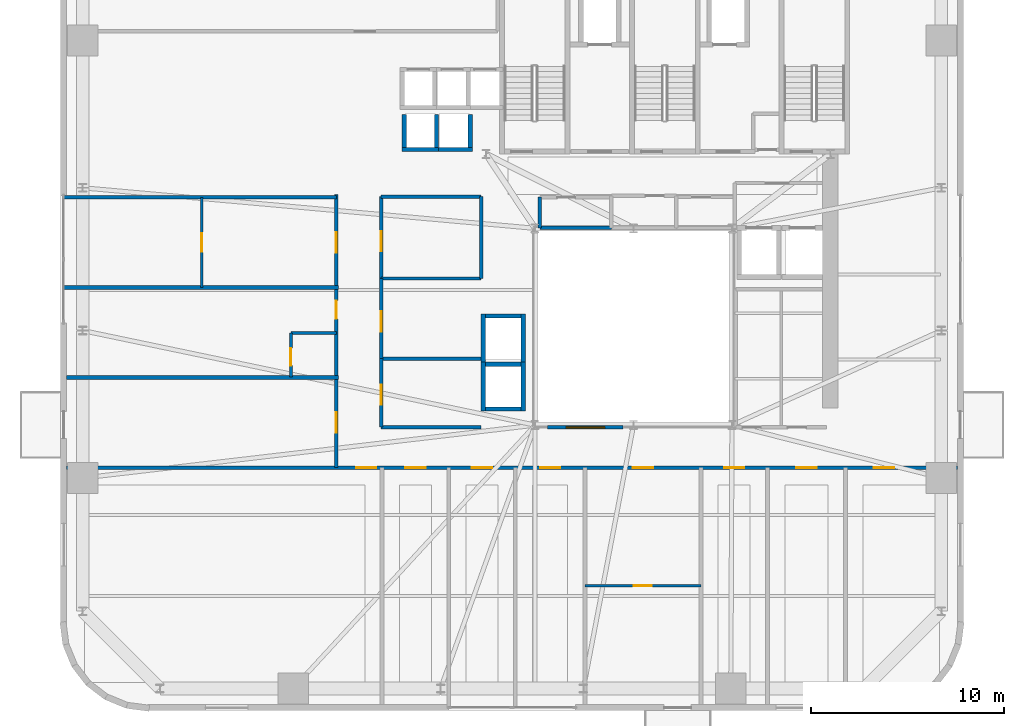
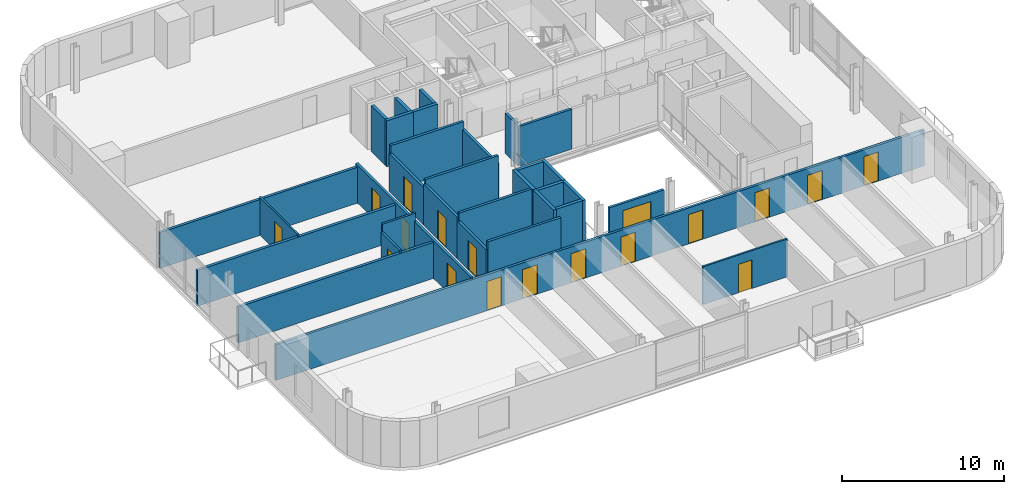
# One storey, part 6 of 11: 32 walls, 17 doors, 1 window, 18 openings.
"""IFC4 building model written with IfcOpenShell, lengths in metres."""

from ifc_helpers import new_model, si_unit, direction, frame, frame_2d, origin, place, context, subcontext, project, spatial, rectangle, extrude, source, transform, mapped, material, layer, layer_set, type_object, element, fill, save


model = new_model("IFC4")

# Units and contexts
model_context = context("Model", 3, precision=1e-05, world=origin(), true_north=direction((0.0, 1.0)))
body_context = subcontext(model_context, "Body", "Model", "MODEL_VIEW")
ifc_project = project(units=[si_unit("LENGTHUNIT", "METRE"), si_unit("AREAUNIT", "SQUARE_METRE"), si_unit("VOLUMEUNIT", "CUBIC_METRE"), si_unit("PLANEANGLEUNIT", "RADIAN"), si_unit("MASSUNIT", "GRAM", prefix="KILO")], contexts=[model_context])

# Site, building, storey
site_placement = place(None, origin())
site = spatial("IfcSite", under=ifc_project, at=site_placement, CompositionType="ELEMENT")
building_placement = place(site_placement, origin())
building = spatial("IfcBuilding", under=site, at=building_placement, Name="Vardaveli Station Tower", CompositionType="ELEMENT")
storey_placement = place(building_placement, frame((0.0, 0.0, 137.199951171875)))
storey = spatial("IfcBuildingStorey", under=building, at=storey_placement, Name="L35", CompositionType="ELEMENT", Elevation=137.199951171875)

# Walls
ifc_material_1 = material(Name="Concrete C40/50", Category="concrete")
ifc_layer_1 = layer(ifc_material_1, 0.219970703125, Name="Concrete C40/50")
ifc_layer_set_1 = layer_set([ifc_layer_1], Name="Concrete C40/50")
wall_type_1 = type_object("IfcWallType", Name="WAL-FFLOBBY-220", PredefinedType="SOLIDWALL", material=ifc_layer_set_1)
shared_shape_1 = source(origin(), body_context, "Body", "SweptSolid", [
    extrude(rectangle(XDim=1.89013671875, YDim=0.219970703125, at=frame_2d((0.945068359375, 0.0))), origin(), (0.0, 0.0, 1.0), 3.4599609375),
])
for number, where, z_axis, x_axis, name in (
    (1, (24.304931640625, 30.889892578125, 0.0), (0.0, 0.0, 1.0), (1.0, 0.0, 0.0), "SHW-SHU-01-L35-S"),
    (2, (26.054931640625, 30.889892578125, 0.0), (0.0, 0.0, 1.0), (1.0, 0.0, 0.0), "SHW-SHU-02-L35-S"),
):
    element("IfcWall", number, at=place(storey_placement, frame(where, z_axis=z_axis, x_axis=x_axis)), inside=storey, type_object=wall_type_1, Name=name, PredefinedType="SOLIDWALL", context=body_context, shape_type="MappedRepresentation", body=[
        mapped(shared_shape_1, transform((0.0, 0.0, 0.0), scale=1.0)),
    ])
shared_shape_2 = source(origin(), body_context, "Body", "SweptSolid", [
    extrude(rectangle(XDim=1.699951171875, YDim=0.219970703125, at=frame_2d((0.85009765625, 0.0))), origin(), (0.0, 0.0, 1.0), 3.4599609375),
])
for number, where, z_axis, x_axis, name in (
    (3, (24.4150390625, 31.0, 0.0), (0.0, 0.0, 1.0), (0.0, 1.0, 0.0), "SHW-SHU-01-L35-W"),
    (4, (26.0849609375, 31.0, 0.0), (0.0, 0.0, 1.0), (0.0, 1.0, 0.0), "SHW-SHU-01-L35-E"),
    (5, (27.8349609375, 31.0, 0.0), (0.0, 0.0, 1.0), (0.0, 1.0, 0.0), "SHW-SHU-02-L35-E"),
):
    element("IfcWall", number, at=place(storey_placement, frame(where, z_axis=z_axis, x_axis=x_axis)), inside=storey, type_object=wall_type_1, Name=name, PredefinedType="SOLIDWALL", context=body_context, shape_type="MappedRepresentation", body=[
        mapped(shared_shape_2, transform((0.0, 0.0, 0.0), scale=1.0)),
    ])
shared_shape_3 = source(origin(), body_context, "Body", "SweptSolid", [
    extrude(rectangle(XDim=1.85009765625, YDim=0.219970703125, at=frame_2d((0.925048828125, 0.0))), origin(), (0.0, 0.0, 1.0), 3.4599609375),
])
for number, where, z_axis, x_axis, name in (
    (6, (28.625, 17.43994140625, 0.0), (0.0, 0.0, 1.0), (1.0, 0.0, 0.0), "SHW-OBS-01-L35-S"),
    (7, (28.625, 19.760009765625, 0.0), (0.0, 0.0, 1.0), (1.0, 0.0, 0.0), "SHW-OBS-01-L35-N"),
    (8, (28.625, 22.260009765625, 0.0), (0.0, 0.0, 1.0), (1.0, 0.0, 0.0), "SHW-OBS-02-L35-N"),
):
    element("IfcWall", number, at=place(storey_placement, frame(where, z_axis=z_axis, x_axis=x_axis)), inside=storey, type_object=wall_type_1, Name=name, PredefinedType="SOLIDWALL", context=body_context, shape_type="MappedRepresentation", body=[
        mapped(shared_shape_3, transform((0.0, 0.0, 0.0), scale=1.0)),
    ])
shared_shape_4 = source(origin(), body_context, "Body", "SweptSolid", [
    extrude(rectangle(XDim=2.5400390625, YDim=0.219970703125, at=frame_2d((1.27001953125, 0.0))), origin(), (0.0, 0.0, 1.0), 3.4599609375),
])
for number, where, z_axis, x_axis, name in (
    (9, (28.514892578125, 17.330078125, 0.0), (0.0, 0.0, 1.0), (0.0, 1.0, 0.0), "SHW-OBS-01-L35-W"),
    (10, (30.5849609375, 17.330078125, 0.0), (0.0, 0.0, 1.0), (0.0, 1.0, 0.0), "SHW-OBS-01-L35-E"),
    (11, (28.514892578125, 19.830078125, 0.0), (0.0, 0.0, 1.0), (0.0, 1.0, 0.0), "SHW-OBS-02-L35-W"),
    (12, (30.5849609375, 19.830078125, 0.0), (0.0, 0.0, 1.0), (0.0, 1.0, 0.0), "SHW-OBS-02-L35-E"),
):
    element("IfcWall", number, at=place(storey_placement, frame(where, z_axis=z_axis, x_axis=x_axis)), inside=storey, type_object=wall_type_1, Name=name, PredefinedType="SOLIDWALL", context=body_context, shape_type="MappedRepresentation", body=[
        mapped(shared_shape_4, transform((0.0, 0.0, 0.0), scale=1.0)),
    ])

# Wall, opening, door
ifc_material_2 = material(Name="Moisture-resistant stud partition")
ifc_layer_2 = layer(ifc_material_2, 0.14990234375, Name="Moisture-resistant stud partition")
ifc_layer_set_2 = layer_set([ifc_layer_2], Name="Moisture-resistant stud partition")
wall_type_2 = type_object("IfcWallType", Name="WAL-WET-150", PredefinedType="PARTITIONING", material=ifc_layer_set_2)
shared_shape_5 = source(origin(), body_context, "Body", "SweptSolid", [
    extrude(rectangle(XDim=2.2900390625, YDim=0.14990234375, at=frame_2d((1.14501953125, 0.0))), origin(), (0.0, 0.0, 1.0), 2.85205078125),
])
wall_1_placement = place(storey_placement, frame((18.5400390625, 19.0869140625, 0.0), z_axis=(0.0, 0.0, 1.0), x_axis=(0.0, 1.0, 0.0)))
wall_1 = element("IfcWall", 13, at=wall_1_placement, inside=storey, type_object=wall_type_2, Name="W-L35-BW2-W", PredefinedType="PARTITIONING", context=body_context, shape_type="MappedRepresentation", body=[
    mapped(shared_shape_5, transform((0.0, 0.0, 0.0), scale=1.0)),
])
shared_shape_6 = source(origin(), body_context, "Body", "SweptSolid", [
    extrude(rectangle(XDim=0.89990234375, YDim=2.10009765625, at=frame_2d((0.449951171875, 1.050048828125))), frame((0.0, 0.0849609375, 0.0), z_axis=(0.0, -1.0, 0.0), x_axis=(1.0, 0.0, 0.0)), (0.0, 0.0, 1.0), 0.169921875),
])
opening_1_placement = place(wall_1_placement, frame((0.60009765625, 0.0, 0.0)))
opening_1 = element("IfcOpeningElement", 14, at=opening_1_placement, cuts=wall_1, Name="Opening D-08", PredefinedType="OPENING", context=body_context, shape_type="MappedRepresentation", body=[
    mapped(shared_shape_6, transform((0.0, 0.0, 0.0), scale=1.0)),
])
ifc_material_3 = material(Name="Moisture-resistant oak door")
door_type_1 = type_object("IfcDoorType", Name="DR-BATH-900x2100", OperationType="NOTDEFINED", PredefinedType="DOOR", material=ifc_material_3)
shared_shape_7 = source(origin(), body_context, "Body", "SweptSolid", [
    extrude(rectangle(XDim=0.89990234375, YDim=2.10009765625, at=frame_2d((0.449951171875, 1.050048828125))), frame((0.0, 0.02490234375, 0.0), z_axis=(0.0, -1.0, 0.0), x_axis=(1.0, 0.0, 0.0)), (0.0, 0.0, 1.0), 0.050048828125),
])
door_1_placement = place(opening_1_placement, origin())
door_1 = element("IfcDoor", 15, at=door_1_placement, inside=storey, type_object=door_type_1, Name="D-L35-BW2", OperationType="SINGLE_SWING_LEFT", OverallHeight=2.10009765625, OverallWidth=0.89990234375, PredefinedType="DOOR", context=body_context, shape_type="MappedRepresentation", body=[
    mapped(shared_shape_7, transform((0.0, 0.0, 0.0), scale=1.0)),
])
fill(opening_1, door_1)

ifc_material_4 = material(Name="Fire-rated gypsum stud partition")
ifc_layer_3 = layer(ifc_material_4, 0.179931640625, Name="Fire-rated gypsum stud partition")
ifc_layer_set_3 = layer_set([ifc_layer_3], Name="Fire-rated gypsum stud partition")
wall_type_3 = type_object("IfcWallType", Name="WAL-CORR-180", PredefinedType="PARTITIONING", material=ifc_layer_set_3)
shared_shape_8 = source(origin(), body_context, "Body", "SweptSolid", [
    extrude(rectangle(XDim=4.239990234375, YDim=0.179931640625, at=frame_2d((2.1201171875, 0.0))), origin(), (0.0, 0.0, 1.0), 2.85205078125),
])
wall_2_placement = place(storey_placement, frame((23.219970703125, 24.199951171875, 0.0), z_axis=(0.0, 0.0, 1.0), x_axis=(0.0, 1.0, 0.0)))
wall_2 = element("IfcWall", 16, at=wall_2_placement, inside=storey, type_object=wall_type_3, Name="W-L35-ATWC-W", PredefinedType="PARTITIONING", context=body_context, shape_type="MappedRepresentation", body=[
    mapped(shared_shape_8, transform((0.0, 0.0, 0.0), scale=1.0)),
])
shared_shape_9 = source(origin(), body_context, "Body", "SweptSolid", [
    extrude(rectangle(XDim=1.050048828125, YDim=2.199951171875, at=frame_2d((0.52490234375, 1.10009765625))), frame((0.0, 0.10009765625, 0.0), z_axis=(0.0, -1.0, 0.0), x_axis=(1.0, 0.0, 0.0)), (0.0, 0.0, 1.0), 0.199951171875),
])
opening_2_placement = place(wall_2_placement, frame((1.39990234375, 0.0, 0.0)))
opening_2 = element("IfcOpeningElement", 17, at=opening_2_placement, cuts=wall_2, Name="Opening D-05", PredefinedType="OPENING", context=body_context, shape_type="MappedRepresentation", body=[
    mapped(shared_shape_9, transform((0.0, 0.0, 0.0), scale=1.0)),
])
ifc_material_5 = material(Name="Walnut veneer acoustic fire door")
door_type_2 = type_object("IfcDoorType", Name="DR-SUITE-1050x2200", OperationType="NOTDEFINED", PredefinedType="DOOR", material=ifc_material_5)
shared_shape_10 = source(origin(), body_context, "Body", "SweptSolid", [
    extrude(rectangle(XDim=1.050048828125, YDim=2.199951171875, at=frame_2d((0.52490234375, 1.10009765625))), frame((0.0, 0.02490234375, 0.0), z_axis=(0.0, -1.0, 0.0), x_axis=(1.0, 0.0, 0.0)), (0.0, 0.0, 1.0), 0.050048828125),
])
door_2_placement = place(opening_2_placement, origin())
door_2 = element("IfcDoor", 18, at=door_2_placement, inside=storey, type_object=door_type_2, Name="D-L35-ATW3", OperationType="SINGLE_SWING_RIGHT", OverallHeight=2.199951171875, OverallWidth=1.050048828125, PredefinedType="DOOR", context=body_context, shape_type="MappedRepresentation", body=[
    mapped(shared_shape_10, transform((0.0, 0.0, 0.0), scale=1.0)),
])
fill(opening_2, door_2)

# Wall
wall_3_placement = place(storey_placement, frame((28.39990234375, 24.199951171875, 0.0), z_axis=(0.0, 0.0, 1.0), x_axis=(0.0, 1.0, 0.0)))
element("IfcWall", 19, at=wall_3_placement, inside=storey, type_object=wall_type_3, Name="W-L35-ATWC-E", PredefinedType="PARTITIONING", context=body_context, shape_type="MappedRepresentation", body=[
    mapped(shared_shape_8, transform((0.0, 0.0, 0.0), scale=1.0)),
])

# Wall, opening, door
shared_shape_11 = source(origin(), body_context, "Body", "SweptSolid", [
    extrude(rectangle(XDim=4.14990234375, YDim=0.179931640625, at=frame_2d((2.074951171875, 0.0))), origin(), (0.0, 0.0, 1.0), 3.1220703125),
])
wall_4_placement = place(storey_placement, frame((23.219970703125, 20.050048828125, 0.0), z_axis=(0.0, 0.0, 1.0), x_axis=(0.0, 1.0, 0.0)))
wall_4 = element("IfcWall", 20, at=wall_4_placement, inside=storey, type_object=wall_type_3, Name="W-L35-ATWB-W", PredefinedType="PARTITIONING", context=body_context, shape_type="MappedRepresentation", body=[
    mapped(shared_shape_11, transform((0.0, 0.0, 0.0), scale=1.0)),
])
opening_3_placement = place(wall_4_placement, frame((1.39990234375, 0.0, 0.0)))
opening_3 = element("IfcOpeningElement", 21, at=opening_3_placement, cuts=wall_4, Name="Opening D-05", PredefinedType="OPENING", context=body_context, shape_type="MappedRepresentation", body=[
    mapped(shared_shape_9, transform((0.0, 0.0, 0.0), scale=1.0)),
])
door_3_placement = place(opening_3_placement, origin())
door_3 = element("IfcDoor", 22, at=door_3_placement, inside=storey, type_object=door_type_2, Name="D-L35-ATW2", OperationType="SINGLE_SWING_LEFT", OverallHeight=2.199951171875, OverallWidth=1.050048828125, PredefinedType="DOOR", context=body_context, shape_type="MappedRepresentation", body=[
    mapped(shared_shape_10, transform((0.0, 0.0, 0.0), scale=1.0)),
])
fill(opening_3, door_3)

shared_shape_12 = source(origin(), body_context, "Body", "SweptSolid", [
    extrude(rectangle(XDim=3.550048828125, YDim=0.179931640625, at=frame_2d((1.77490234375, 0.0))), origin(), (0.0, 0.0, 1.0), 2.85205078125),
])
wall_5_placement = place(storey_placement, frame((23.219970703125, 16.5, 0.0), z_axis=(0.0, 0.0, 1.0), x_axis=(0.0, 1.0, 0.0)))
wall_5 = element("IfcWall", 23, at=wall_5_placement, inside=storey, type_object=wall_type_3, Name="W-L35-ATWA-W", PredefinedType="PARTITIONING", context=body_context, shape_type="MappedRepresentation", body=[
    mapped(shared_shape_12, transform((0.0, 0.0, 0.0), scale=1.0)),
])
opening_4_placement = place(wall_5_placement, frame((1.14990234375, 0.0, 0.0)))
opening_4 = element("IfcOpeningElement", 24, at=opening_4_placement, cuts=wall_5, Name="Opening D-05", PredefinedType="OPENING", context=body_context, shape_type="MappedRepresentation", body=[
    mapped(shared_shape_9, transform((0.0, 0.0, 0.0), scale=1.0)),
])
door_4_placement = place(opening_4_placement, origin())
door_4 = element("IfcDoor", 25, at=door_4_placement, inside=storey, type_object=door_type_2, Name="D-L35-ATW1", OperationType="SINGLE_SWING_LEFT", OverallHeight=2.199951171875, OverallWidth=1.050048828125, PredefinedType="DOOR", context=body_context, shape_type="MappedRepresentation", body=[
    mapped(shared_shape_10, transform((0.0, 0.0, 0.0), scale=1.0)),
])
fill(opening_4, door_4)

# Walls
shared_shape_13 = source(origin(), body_context, "Body", "SweptSolid", [
    extrude(rectangle(XDim=3.699951171875, YDim=0.179931640625, at=frame_2d((1.85009765625, 0.0))), origin(), (0.0, 0.0, 1.0), 3.001953125),
])
wall_6_placement = place(storey_placement, frame((31.449951171875, 26.820068359375, 0.0), z_axis=(0.0, 0.0, 1.0), x_axis=(1.0, 0.0, 0.0)))
element("IfcWall", 26, at=wall_6_placement, inside=storey, type_object=wall_type_3, Name="W-L35-CS2A-S", PredefinedType="PARTITIONING", context=body_context, shape_type="MappedRepresentation", body=[
    mapped(shared_shape_13, transform((0.0, 0.0, 0.0), scale=1.0)),
])
shared_shape_14 = source(origin(), body_context, "Body", "SweptSolid", [
    extrude(rectangle(XDim=1.599853515625, YDim=0.179931640625, at=frame_2d((0.7998046875, 0.0))), origin(), (0.0, 0.0, 1.0), 3.001953125),
])
wall_7_placement = place(storey_placement, frame((31.449951171875, 26.820068359375, 0.0), z_axis=(0.0, 0.0, 1.0), x_axis=(0.0, 1.0, 0.0)))
element("IfcWall", 27, at=wall_7_placement, inside=storey, type_object=wall_type_3, Name="W-L35-CS2A-W", PredefinedType="PARTITIONING", context=body_context, shape_type="MappedRepresentation", body=[
    mapped(shared_shape_14, transform((0.0, 0.0, 0.0), scale=1.0)),
])

# Wall, openings, doors
shared_shape_15 = source(origin(), body_context, "Body", "SweptSolid", [
    extrude(rectangle(XDim=46.15576171875, YDim=0.179931640625, at=frame_2d((23.077880859375, 0.0))), origin(), (0.0, 0.0, 1.0), 2.7021484375),
])
wall_8_placement = place(storey_placement, frame((6.922119140625, 14.39990234375, 0.0), z_axis=(0.0, 0.0, 1.0), x_axis=(1.0, 0.0, 0.0)))
wall_8 = element("IfcWall", 28, at=wall_8_placement, inside=storey, type_object=wall_type_3, Name="W-L35-CS", PredefinedType="PARTITIONING", context=body_context, shape_type="MappedRepresentation", body=[
    mapped(shared_shape_15, transform((0.0, 0.0, 0.0), scale=1.0)),
])
opening_5_placement = place(wall_8_placement, frame((14.998046875, 0.0, 0.0)))
opening_5 = element("IfcOpeningElement", 29, at=opening_5_placement, cuts=wall_8, Name="Opening D-05", PredefinedType="OPENING", context=body_context, shape_type="MappedRepresentation", body=[
    mapped(shared_shape_9, transform((0.0, 0.0, 0.0), scale=1.0)),
])
opening_6_placement = place(wall_8_placement, frame((17.552978515625, 0.0, 0.0)))
opening_6 = element("IfcOpeningElement", 30, at=opening_6_placement, cuts=wall_8, Name="Opening D-05", PredefinedType="OPENING", context=body_context, shape_type="MappedRepresentation", body=[
    mapped(shared_shape_9, transform((0.0, 0.0, 0.0), scale=1.0)),
])
opening_7_placement = place(wall_8_placement, frame((21.0029296875, 0.0, 0.0)))
opening_7 = element("IfcOpeningElement", 31, at=opening_7_placement, cuts=wall_8, Name="Opening D-05", PredefinedType="OPENING", context=body_context, shape_type="MappedRepresentation", body=[
    mapped(shared_shape_9, transform((0.0, 0.0, 0.0), scale=1.0)),
])
opening_8_placement = place(wall_8_placement, frame((24.532470703125, 0.0, 0.0)))
opening_8 = element("IfcOpeningElement", 32, at=opening_8_placement, cuts=wall_8, Name="Opening D-05", PredefinedType="OPENING", context=body_context, shape_type="MappedRepresentation", body=[
    mapped(shared_shape_9, transform((0.0, 0.0, 0.0), scale=1.0)),
])
opening_9_placement = place(wall_8_placement, frame((29.342041015625, 0.0, 0.0)))
opening_9 = element("IfcOpeningElement", 33, at=opening_9_placement, cuts=wall_8, Name="Opening D-05", PredefinedType="OPENING", context=body_context, shape_type="MappedRepresentation", body=[
    mapped(shared_shape_9, transform((0.0, 0.0, 0.0), scale=1.0)),
])
opening_10_placement = place(wall_8_placement, frame((34.072509765625, 0.0, 0.0)))
opening_10 = element("IfcOpeningElement", 34, at=opening_10_placement, cuts=wall_8, Name="Opening D-05", PredefinedType="OPENING", context=body_context, shape_type="MappedRepresentation", body=[
    mapped(shared_shape_9, transform((0.0, 0.0, 0.0), scale=1.0)),
])
opening_11_placement = place(wall_8_placement, frame((37.821533203125, 0.0, 0.0)))
opening_11 = element("IfcOpeningElement", 35, at=opening_11_placement, cuts=wall_8, Name="Opening D-05", PredefinedType="OPENING", context=body_context, shape_type="MappedRepresentation", body=[
    mapped(shared_shape_9, transform((0.0, 0.0, 0.0), scale=1.0)),
])
opening_12_placement = place(wall_8_placement, frame((41.827880859375, 0.0, 0.0)))
opening_12 = element("IfcOpeningElement", 36, at=opening_12_placement, cuts=wall_8, Name="Opening D-05", PredefinedType="OPENING", context=body_context, shape_type="MappedRepresentation", body=[
    mapped(shared_shape_9, transform((0.0, 0.0, 0.0), scale=1.0)),
])
door_5_placement = place(opening_5_placement, origin())
door_5 = element("IfcDoor", 37, at=door_5_placement, inside=storey, type_object=door_type_2, Name="D-L35-SA1", OperationType="SINGLE_SWING_RIGHT", OverallHeight=2.199951171875, OverallWidth=1.050048828125, PredefinedType="DOOR", context=body_context, shape_type="MappedRepresentation", body=[
    mapped(shared_shape_10, transform((0.0, 0.0, 0.0), scale=1.0)),
])
fill(opening_5, door_5)
door_6_placement = place(opening_6_placement, origin())
door_6 = element("IfcDoor", 38, at=door_6_placement, inside=storey, type_object=door_type_2, Name="D-L35-SA2", OperationType="SINGLE_SWING_LEFT", OverallHeight=2.199951171875, OverallWidth=1.050048828125, PredefinedType="DOOR", context=body_context, shape_type="MappedRepresentation", body=[
    mapped(shared_shape_10, transform((0.0, 0.0, 0.0), scale=1.0)),
])
fill(opening_6, door_6)
door_7_placement = place(opening_7_placement, origin())
door_7 = element("IfcDoor", 39, at=door_7_placement, inside=storey, type_object=door_type_2, Name="D-L35-SA3", OperationType="SINGLE_SWING_RIGHT", OverallHeight=2.199951171875, OverallWidth=1.050048828125, PredefinedType="DOOR", context=body_context, shape_type="MappedRepresentation", body=[
    mapped(shared_shape_10, transform((0.0, 0.0, 0.0), scale=1.0)),
])
fill(opening_7, door_7)
door_8_placement = place(opening_8_placement, origin())
door_8 = element("IfcDoor", 40, at=door_8_placement, inside=storey, type_object=door_type_2, Name="D-L35-SA4", OperationType="SINGLE_SWING_LEFT", OverallHeight=2.199951171875, OverallWidth=1.050048828125, PredefinedType="DOOR", context=body_context, shape_type="MappedRepresentation", body=[
    mapped(shared_shape_10, transform((0.0, 0.0, 0.0), scale=1.0)),
])
fill(opening_8, door_8)
door_9_placement = place(opening_9_placement, origin())
door_9 = element("IfcDoor", 41, at=door_9_placement, inside=storey, type_object=door_type_2, Name="D-L35-SCB5", OperationType="SINGLE_SWING_RIGHT", OverallHeight=2.199951171875, OverallWidth=1.050048828125, PredefinedType="DOOR", context=body_context, shape_type="MappedRepresentation", body=[
    mapped(shared_shape_10, transform((0.0, 0.0, 0.0), scale=1.0)),
])
fill(opening_9, door_9)
door_10_placement = place(opening_10_placement, origin())
door_10 = element("IfcDoor", 42, at=door_10_placement, inside=storey, type_object=door_type_2, Name="D-L35-SA6", OperationType="SINGLE_SWING_LEFT", OverallHeight=2.199951171875, OverallWidth=1.050048828125, PredefinedType="DOOR", context=body_context, shape_type="MappedRepresentation", body=[
    mapped(shared_shape_10, transform((0.0, 0.0, 0.0), scale=1.0)),
])
fill(opening_10, door_10)
door_11_placement = place(opening_11_placement, origin())
door_11 = element("IfcDoor", 43, at=door_11_placement, inside=storey, type_object=door_type_2, Name="D-L35-SA7", OperationType="SINGLE_SWING_RIGHT", OverallHeight=2.199951171875, OverallWidth=1.050048828125, PredefinedType="DOOR", context=body_context, shape_type="MappedRepresentation", body=[
    mapped(shared_shape_10, transform((0.0, 0.0, 0.0), scale=1.0)),
])
fill(opening_11, door_11)
door_12_placement = place(opening_12_placement, origin())
door_12 = element("IfcDoor", 44, at=door_12_placement, inside=storey, type_object=door_type_2, Name="D-L35-SA8", OperationType="SINGLE_SWING_LEFT", OverallHeight=2.199951171875, OverallWidth=1.050048828125, PredefinedType="DOOR", context=body_context, shape_type="MappedRepresentation", body=[
    mapped(shared_shape_10, transform((0.0, 0.0, 0.0), scale=1.0)),
])
fill(opening_12, door_12)

# Wall, opening, window
shared_shape_16 = source(origin(), body_context, "Body", "SweptSolid", [
    extrude(rectangle(XDim=3.89990234375, YDim=0.179931640625, at=frame_2d((1.949951171875, 0.0))), origin(), (0.0, 0.0, 1.0), 3.001953125),
])
wall_9_placement = place(storey_placement, frame((31.85009765625, 16.47998046875, 0.0), z_axis=(0.0, 0.0, 1.0), x_axis=(1.0, 0.0, 0.0)))
wall_9 = element("IfcWall", 45, at=wall_9_placement, inside=storey, type_object=wall_type_3, Name="WAT-L35-S", PredefinedType="PARTITIONING", context=body_context, shape_type="MappedRepresentation", body=[
    mapped(shared_shape_16, transform((0.0, 0.0, 0.0), scale=1.0)),
])
shared_shape_17 = source(origin(), body_context, "Body", "SweptSolid", [
    extrude(rectangle(XDim=2.0, YDim=1.89990234375, at=frame_2d((1.0, 0.949951171875))), frame((0.0, 0.10009765625, 0.0), z_axis=(0.0, -1.0, 0.0), x_axis=(1.0, 0.0, 0.0)), (0.0, 0.0, 1.0), 0.199951171875),
])
opening_13_placement = place(wall_9_placement, frame((0.949951171875, 0.0, 0.550048828125)))
opening_13 = element("IfcOpeningElement", 46, at=opening_13_placement, cuts=wall_9, Name="Opening W-07", PredefinedType="OPENING", context=body_context, shape_type="MappedRepresentation", body=[
    mapped(shared_shape_17, transform((0.0, 0.0, 0.0), scale=1.0)),
])
ifc_material_6 = material(Name="Tempered EI 60 fire-rated glass", Category="glass")
window_type = type_object("IfcWindowType", Name="WIN-ATRIUM-2000x2400", PartitioningType="SINGLE_PANEL", PredefinedType="WINDOW", material=ifc_material_6)
shared_shape_18 = source(origin(), body_context, "Body", "SweptSolid", [
    extrude(rectangle(XDim=2.0, YDim=1.89990234375, at=frame_2d((1.0, 0.949951171875))), frame((0.0, 0.030029296875, 0.0), z_axis=(0.0, -1.0, 0.0), x_axis=(1.0, 0.0, 0.0)), (0.0, 0.0, 1.0), 0.06005859375),
])
window_placement = place(opening_13_placement, origin())
window = element("IfcWindow", 47, at=window_placement, inside=storey, type_object=window_type, Name="WNAT-L35-1", OverallHeight=1.89990234375, OverallWidth=2.0, PartitioningType="SINGLE_PANEL", PredefinedType="WINDOW", context=body_context, shape_type="MappedRepresentation", body=[
    mapped(shared_shape_18, transform((0.0, 0.0, 0.0), scale=1.0)),
])
fill(opening_13, window)

# Wall
shared_shape_19 = source(origin(), body_context, "Body", "SweptSolid", [
    extrude(rectangle(XDim=2.35986328125, YDim=0.14990234375, at=frame_2d((1.179931640625, 0.0))), origin(), (0.0, 0.0, 1.0), 3.4599609375),
])
wall_10_placement = place(storey_placement, frame((18.5400390625, 21.376953125, 0.0), z_axis=(0.0, 0.0, 1.0), x_axis=(1.0, 0.0, 0.0)))
element("IfcWall", 48, at=wall_10_placement, inside=storey, type_object=wall_type_2, Name="W-L35-BW2-N", PredefinedType="PARTITIONING", context=body_context, shape_type="MappedRepresentation", body=[
    mapped(shared_shape_19, transform((0.0, 0.0, 0.0), scale=1.0)),
])

# Wall, openings, doors
shared_shape_20 = source(origin(), body_context, "Body", "SweptSolid", [
    extrude(rectangle(XDim=14.150146484375, YDim=0.179931640625, at=frame_2d((7.0751953125, 0.0))), origin(), (0.0, 0.0, 1.0), 2.85205078125),
])
wall_11_placement = place(storey_placement, frame((20.89990234375, 14.39990234375, 0.0), z_axis=(0.0, 0.0, 1.0), x_axis=(0.0, 1.0, 0.0)))
wall_11 = element("IfcWall", 49, at=wall_11_placement, inside=storey, type_object=wall_type_3, Name="W-L35-CW", PredefinedType="PARTITIONING", context=body_context, shape_type="MappedRepresentation", body=[
    mapped(shared_shape_20, transform((0.0, 0.0, 0.0), scale=1.0)),
])
opening_14_placement = place(wall_11_placement, frame((1.8134765625, 0.0, 0.0)))
opening_14 = element("IfcOpeningElement", 50, at=opening_14_placement, cuts=wall_11, Name="Opening D-05", PredefinedType="OPENING", context=body_context, shape_type="MappedRepresentation", body=[
    mapped(shared_shape_9, transform((0.0, 0.0, 0.0), scale=1.0)),
])
shared_shape_21 = source(origin(), body_context, "Body", "SweptSolid", [
    extrude(rectangle(XDim=0.949951171875, YDim=2.14990234375, at=frame_2d((0.47509765625, 1.074951171875))), frame((0.0, 0.10009765625, 0.0), z_axis=(0.0, -1.0, 0.0), x_axis=(1.0, 0.0, 0.0)), (0.0, 0.0, 1.0), 0.199951171875),
])
opening_15_placement = place(wall_11_placement, frame((7.705078125, 0.0, 0.0)))
opening_15 = element("IfcOpeningElement", 51, at=opening_15_placement, cuts=wall_11, Name="Opening D-06", PredefinedType="OPENING", context=body_context, shape_type="MappedRepresentation", body=[
    mapped(shared_shape_21, transform((0.0, 0.0, 0.0), scale=1.0)),
])
opening_16_placement = place(wall_11_placement, frame((11.146484375, 0.0, 0.0)))
opening_16 = element("IfcOpeningElement", 52, at=opening_16_placement, cuts=wall_11, Name="Opening D-05", PredefinedType="OPENING", context=body_context, shape_type="MappedRepresentation", body=[
    mapped(shared_shape_9, transform((0.0, 0.0, 0.0), scale=1.0)),
])
door_13_placement = place(opening_14_placement, origin())
door_13 = element("IfcDoor", 53, at=door_13_placement, inside=storey, type_object=door_type_2, Name="D-L35-GW1", OperationType="SINGLE_SWING_RIGHT", OverallHeight=2.199951171875, OverallWidth=1.050048828125, PredefinedType="DOOR", context=body_context, shape_type="MappedRepresentation", body=[
    mapped(shared_shape_10, transform((0.0, 0.0, 0.0), scale=1.0)),
])
fill(opening_14, door_13)
door_14_placement = place(opening_16_placement, origin())
door_14 = element("IfcDoor", 54, at=door_14_placement, inside=storey, type_object=door_type_2, Name="D-L35-GW3", OperationType="SINGLE_SWING_RIGHT", OverallHeight=2.199951171875, OverallWidth=1.050048828125, PredefinedType="DOOR", context=body_context, shape_type="MappedRepresentation", body=[
    mapped(shared_shape_10, transform((0.0, 0.0, 0.0), scale=1.0)),
])
fill(opening_16, door_14)
ifc_material_7 = material(Name="Oak veneer acoustic fire door")
door_type_3 = type_object("IfcDoorType", Name="DR-GUEST-950x2150", OperationType="NOTDEFINED", PredefinedType="DOOR", material=ifc_material_7)
shared_shape_22 = source(origin(), body_context, "Body", "SweptSolid", [
    extrude(rectangle(XDim=0.949951171875, YDim=2.14990234375, at=frame_2d((0.47509765625, 1.074951171875))), frame((0.0, 0.02490234375, 0.0), z_axis=(0.0, -1.0, 0.0), x_axis=(1.0, 0.0, 0.0)), (0.0, 0.0, 1.0), 0.050048828125),
])
door_15_placement = place(opening_15_placement, origin())
door_15 = element("IfcDoor", 55, at=door_15_placement, inside=storey, type_object=door_type_3, Name="D-L35-GW2", OperationType="SINGLE_SWING_LEFT", OverallHeight=2.14990234375, OverallWidth=0.949951171875, PredefinedType="DOOR", context=body_context, shape_type="MappedRepresentation", body=[
    mapped(shared_shape_22, transform((0.0, 0.0, 0.0), scale=1.0)),
])
fill(opening_15, door_15)

# Wall, opening, door
ifc_material_8 = material(Name="Gypsum board stud partition")
ifc_layer_4 = layer(ifc_material_8, 0.125, Name="Gypsum board stud partition")
ifc_layer_set_4 = layer_set([ifc_layer_4], Name="Gypsum board stud partition")
wall_type_4 = type_object("IfcWallType", Name="WAL-INT-125", PredefinedType="PARTITIONING", material=ifc_layer_set_4)
shared_shape_23 = source(origin(), body_context, "Body", "SweptSolid", [
    extrude(rectangle(XDim=6.010986328125, YDim=0.125, at=frame_2d((3.00537109375, 0.0))), origin(), (0.0, 0.0, 1.0), 2.85205078125),
])
wall_12_placement = place(storey_placement, frame((33.779052734375, 8.27490234375, 0.0), z_axis=(0.0, 0.0, 1.0), x_axis=(1.0, 0.0, 0.0)))
wall_12 = element("IfcWall", 56, at=wall_12_placement, inside=storey, type_object=wall_type_4, Name="W-L35-SCM5", PredefinedType="PARTITIONING", context=body_context, shape_type="MappedRepresentation", body=[
    mapped(shared_shape_23, transform((0.0, 0.0, 0.0), scale=1.0)),
])
shared_shape_24 = source(origin(), body_context, "Body", "SweptSolid", [
    extrude(rectangle(XDim=0.949951171875, YDim=2.14990234375, at=frame_2d((0.47509765625, 1.074951171875))), frame((0.0, 0.072509765625, 0.0), z_axis=(0.0, -1.0, 0.0), x_axis=(1.0, 0.0, 0.0)), (0.0, 0.0, 1.0), 0.14501953125),
])
opening_17_placement = place(wall_12_placement, frame((2.525390625, 0.0, 0.0)))
opening_17 = element("IfcOpeningElement", 57, at=opening_17_placement, cuts=wall_12, Name="Opening D-11", PredefinedType="OPENING", context=body_context, shape_type="MappedRepresentation", body=[
    mapped(shared_shape_24, transform((0.0, 0.0, 0.0), scale=1.0)),
])
ifc_material_9 = material(Name="Oak veneer internal suite door")
door_type_4 = type_object("IfcDoorType", Name="DR-INT-950x2150", OperationType="NOTDEFINED", PredefinedType="DOOR", material=ifc_material_9)
door_16_placement = place(opening_17_placement, origin())
door_16 = element("IfcDoor", 58, at=door_16_placement, inside=storey, type_object=door_type_4, Name="D-L35-SCF5", OperationType="SINGLE_SWING_LEFT", OverallHeight=2.14990234375, OverallWidth=0.949951171875, PredefinedType="DOOR", context=body_context, shape_type="MappedRepresentation", body=[
    mapped(shared_shape_22, transform((0.0, 0.0, 0.0), scale=1.0)),
])
fill(opening_17, door_16)

shared_shape_25 = source(origin(), body_context, "Body", "SweptSolid", [
    extrude(rectangle(XDim=4.6669921875, YDim=0.125, at=frame_2d((2.33349609375, 0.0))), origin(), (0.0, 0.0, 1.0), 2.85205078125),
])
wall_13_placement = place(storey_placement, frame((13.925048828125, 23.73291015625, 0.0), z_axis=(0.0, 0.0, 1.0), x_axis=(0.0, 1.0, 0.0)))
wall_13 = element("IfcWall", 59, at=wall_13_placement, inside=storey, type_object=wall_type_4, Name="W-L35-WCM3", PredefinedType="PARTITIONING", context=body_context, shape_type="MappedRepresentation", body=[
    mapped(shared_shape_25, transform((0.0, 0.0, 0.0), scale=1.0)),
])
opening_18_placement = place(wall_13_placement, frame((1.853271484375, 0.0, 0.0)))
opening_18 = element("IfcOpeningElement", 60, at=opening_18_placement, cuts=wall_13, Name="Opening D-11", PredefinedType="OPENING", context=body_context, shape_type="MappedRepresentation", body=[
    mapped(shared_shape_24, transform((0.0, 0.0, 0.0), scale=1.0)),
])
door_17_placement = place(opening_18_placement, origin())
door_17 = element("IfcDoor", 61, at=door_17_placement, inside=storey, type_object=door_type_4, Name="D-L35-GWF3", OperationType="SINGLE_SWING_LEFT", OverallHeight=2.14990234375, OverallWidth=0.949951171875, PredefinedType="DOOR", context=body_context, shape_type="MappedRepresentation", body=[
    mapped(shared_shape_22, transform((0.0, 0.0, 0.0), scale=1.0)),
])
fill(opening_18, door_17)

# Walls
ifc_material_10 = material(Name="Acoustic twin-stud gypsum partition")
ifc_layer_5 = layer(ifc_material_10, 0.199951171875, Name="Acoustic twin-stud gypsum partition")
ifc_layer_set_5 = layer_set([ifc_layer_5], Name="Acoustic twin-stud gypsum partition")
wall_type_5 = type_object("IfcWallType", Name="WAL-PARTY-200", PredefinedType="PARTITIONING", material=ifc_layer_set_5)
shared_shape_26 = source(origin(), body_context, "Body", "SweptSolid", [
    extrude(rectangle(XDim=14.077880859375, YDim=0.199951171875, at=frame_2d((7.0390625, 0.0))), origin(), (0.0, 0.0, 1.0), 2.7021484375),
])
wall_14_placement = place(storey_placement, frame((6.922119140625, 19.06689453125, 0.0), z_axis=(0.0, 0.0, 1.0), x_axis=(1.0, 0.0, 0.0)))
element("IfcWall", 62, at=wall_14_placement, inside=storey, type_object=wall_type_5, Name="W-L35-PW1", PredefinedType="PARTITIONING", context=body_context, shape_type="MappedRepresentation", body=[
    mapped(shared_shape_26, transform((0.0, 0.0, 0.0), scale=1.0)),
])
shared_shape_27 = source(origin(), body_context, "Body", "SweptSolid", [
    extrude(rectangle(XDim=14.27001953125, YDim=0.199951171875, at=frame_2d((7.135009765625, 0.0))), origin(), (0.0, 0.0, 1.0), 2.7021484375),
])
wall_15_placement = place(storey_placement, frame((6.72998046875, 23.73291015625, 0.0), z_axis=(0.0, 0.0, 1.0), x_axis=(1.0, 0.0, 0.0)))
element("IfcWall", 63, at=wall_15_placement, inside=storey, type_object=wall_type_5, Name="W-L35-PW2", PredefinedType="PARTITIONING", context=body_context, shape_type="MappedRepresentation", body=[
    mapped(shared_shape_27, transform((0.0, 0.0, 0.0), scale=1.0)),
])
shared_shape_28 = source(origin(), body_context, "Body", "SweptSolid", [
    extrude(rectangle(XDim=14.169921875, YDim=0.179931640625, at=frame_2d((7.0849609375, 0.0))), origin(), (0.0, 0.0, 1.0), 2.7021484375),
])
wall_16_placement = place(storey_placement, frame((6.72998046875, 28.39990234375, 0.0), z_axis=(0.0, 0.0, 1.0), x_axis=(1.0, 0.0, 0.0)))
element("IfcWall", 64, at=wall_16_placement, inside=storey, type_object=wall_type_3, Name="W-L35-CWN", PredefinedType="PARTITIONING", context=body_context, shape_type="MappedRepresentation", body=[
    mapped(shared_shape_28, transform((0.0, 0.0, 0.0), scale=1.0)),
])
shared_shape_29 = source(origin(), body_context, "Body", "SweptSolid", [
    extrude(rectangle(XDim=5.179931640625, YDim=0.179931640625, at=frame_2d((2.58984375, 0.0))), origin(), (0.0, 0.0, 1.0), 3.4599609375),
])
for number, where, z_axis, x_axis, name in (
    (65, (23.219970703125, 16.5, 0.0), (0.0, 0.0, 1.0), (1.0, 0.0, 0.0), "W-L35-ATWA-S"),
    (66, (23.219970703125, 20.050048828125, 0.0), (0.0, 0.0, 1.0), (1.0, 0.0, 0.0), "W-L35-ATWA-N"),
    (67, (23.219970703125, 24.199951171875, 0.0), (0.0, 0.0, 1.0), (1.0, 0.0, 0.0), "W-L35-ATWB-N"),
    (68, (23.219970703125, 28.43994140625, 0.0), (0.0, 0.0, 1.0), (1.0, 0.0, 0.0), "W-L35-ATWC-N"),
):
    element("IfcWall", number, at=place(storey_placement, frame(where, z_axis=z_axis, x_axis=x_axis)), inside=storey, type_object=wall_type_3, Name=name, PredefinedType="PARTITIONING", context=body_context, shape_type="MappedRepresentation", body=[
        mapped(shared_shape_29, transform((0.0, 0.0, 0.0), scale=1.0)),
    ])

save(model, "model.ifc")
